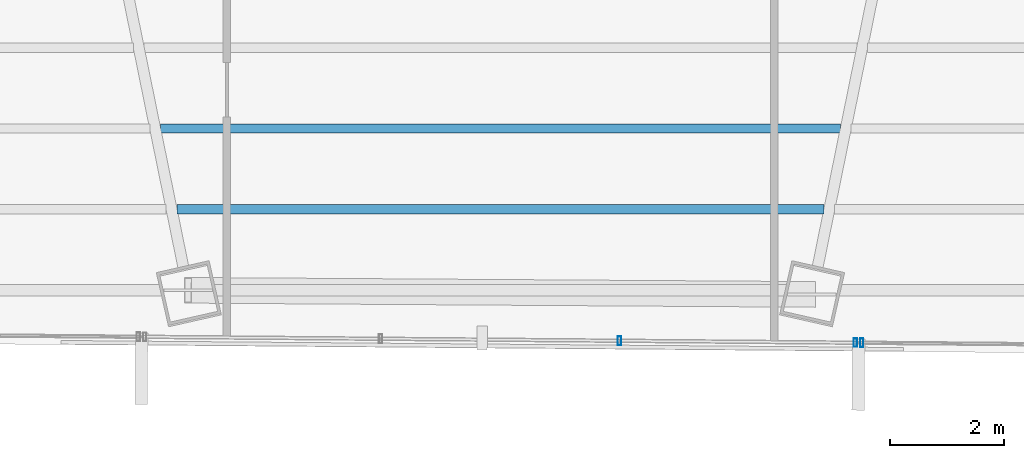
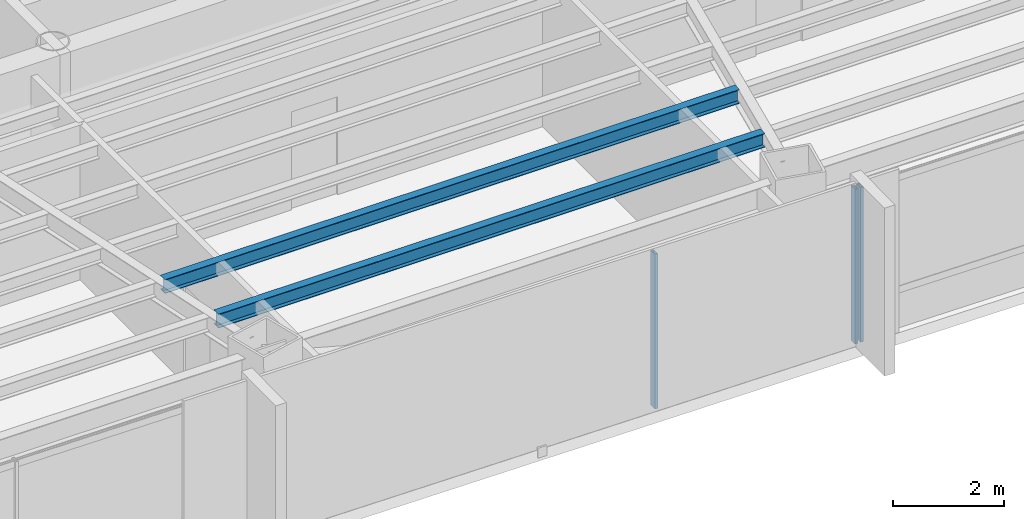
# One storey, part 10 of 38: 3 members, 2 beams, 2 elements without a shape of their own.
"""IFC4 building model written with IfcOpenShell, lengths in metres."""

from ifc_helpers import new_model, si_unit, direction, frame, origin, origin_2d, place, context, subcontext, project, spatial, hollow_rectangle, i_section, extrude, source, transform, mapped, material, material_profile, profile_set, type_object, type_shapes, element, aggregate, save


model = new_model("IFC4")

# Units and contexts
model_context = context("Model", 3, precision=1e-05, world=origin(), true_north=direction((0.0, 1.0)))
body_context = subcontext(model_context, "Body", "Model", "MODEL_VIEW")
ifc_project = project(units=[si_unit("LENGTHUNIT", "METRE"), si_unit("AREAUNIT", "SQUARE_METRE"), si_unit("VOLUMEUNIT", "CUBIC_METRE"), si_unit("PLANEANGLEUNIT", "RADIAN"), si_unit("MASSUNIT", "GRAM", prefix="KILO")], contexts=[model_context])

# Site, building, storey
site_placement = place(None, origin())
site = spatial("IfcSite", under=ifc_project, at=site_placement, CompositionType="ELEMENT")
building_placement = place(site_placement, origin())
building = spatial("IfcBuilding", under=site, at=building_placement, Name="Caelisora Broadcast Tower", CompositionType="ELEMENT")
storey_placement = place(building_placement, frame((0.0, 0.0, 158.5)))
storey = spatial("IfcBuildingStorey", under=building, at=storey_placement, Name="L41", CompositionType="ELEMENT", Elevation=158.5)

# Beams
ifc_material_1 = material(Name="Steel Grade 350 (AS/NZS 3679.1)", Category="steel")
ifc_material_profile_1 = material_profile(ifc_material_1, i_section(OverallWidth=0.166015625, OverallDepth=0.30712890625, WebThickness=0.006591796875, FlangeThickness=0.01171875, at=origin_2d()), Name="Steel Grade 350 (AS/NZS 3679.1)")
ifc_profile_set_1 = profile_set([ifc_material_profile_1], Name="Steel Grade 350 (AS/NZS 3679.1)")
beam_type = type_object("IfcBeamType", Name="SB03", PredefinedType="JOIST", material=ifc_profile_set_1)
shared_shape_1 = source(origin(), body_context, "Body", "SweptSolid", [
    extrude(i_section(OverallWidth=0.166015625, OverallDepth=0.30712890625, WebThickness=0.006591796875, FlangeThickness=0.01171875, at=origin_2d()), origin(), (0.0, 0.0, 1.0), 11.92724609375),
])
beam_1_placement = place(storey_placement, frame((32.036376953125, 10.3037109375, 3.246337890625), z_axis=(1.0, 0.0, 0.0), x_axis=(0.0, 1.0, 0.0)))
element("IfcBeam", 1, at=beam_1_placement, inside=storey, type_object=beam_type, Name="L41 beam SB03", PredefinedType="JOIST", context=body_context, shape_type="MappedRepresentation", body=[
    mapped(shared_shape_1, transform((0.0, 0.0, 0.0), scale=1.0)),
])
shared_shape_2 = source(origin(), body_context, "Body", "SweptSolid", [
    extrude(i_section(OverallWidth=0.166015625, OverallDepth=0.30712890625, WebThickness=0.006591796875, FlangeThickness=0.01171875, at=origin_2d()), origin(), (0.0, 0.0, 1.0), 11.3505859375),
])
type_shapes(beam_type, [shared_shape_1, shared_shape_2])
beam_2_placement = place(storey_placement, frame((32.32470703125, 8.884521484375, 3.246337890625), z_axis=(1.0, 0.0, 0.0), x_axis=(0.0, 1.0, 0.0)))
element("IfcBeam", 2, at=beam_2_placement, inside=storey, type_object=beam_type, Name="L41 beam SB03", PredefinedType="JOIST", context=body_context, shape_type="MappedRepresentation", body=[
    mapped(shared_shape_2, transform((0.0, 0.0, 0.0), scale=1.0)),
])

# Curtain wall, member
ifc_material_2 = material(Name="Unitised Aluminium and Low-E Glass Curtain Wall", Category="glass")
curtain_wall_type_1 = type_object("IfcCurtainWallType", Name="CW-Z3", PredefinedType="NOTDEFINED", material=ifc_material_2)
curtain_wall_1_placement = place(storey_placement, origin())
curtain_wall_1 = element("IfcCurtainWall", 3, at=curtain_wall_1_placement, inside=storey, type_object=curtain_wall_type_1, Name="L41 curtain wall CW-Z3", PredefinedType="NOTDEFINED")
ifc_material_3 = material(Name="Aluminium 6063-T6 Anodised Terracotta Bronze", Category="aluminium")
ifc_material_profile_2 = material_profile(ifc_material_3, hollow_rectangle(XDim=0.06005859375, YDim=0.14990234375, WallThickness=0.00341796875, at=origin_2d()), Name="Aluminium 6063-T6 Anodised Terracotta Bronze")
ifc_profile_set_2 = profile_set([ifc_material_profile_2], Name="Aluminium 6063-T6 Anodised Terracotta Bronze")
member_type = type_object("IfcMemberType", Name="CWM-03", PredefinedType="MULLION", material=ifc_profile_set_2)
shared_shape_3 = source(origin(), body_context, "Body", "SweptSolid", [
    extrude(hollow_rectangle(XDim=0.06005859375, YDim=0.14990234375, WallThickness=0.00341796875, at=origin_2d()), origin(), (0.0, 0.0, 1.0), 3.39990234375),
])
type_shapes(member_type, [shared_shape_3])
member_1_placement = place(storey_placement, frame((44.338134765625, 6.544677734375, 0.0), z_axis=(0.0, 0.0, 1.0), x_axis=(1.0, 0.0, 0.0)))
member_1 = element("IfcMember", 4, at=member_1_placement, type_object=member_type, Name="L41-CW-B05 mullion #3", PredefinedType="MULLION", context=body_context, shape_type="MappedRepresentation", body=[
    mapped(shared_shape_3, transform((0.0, 0.0, 0.0), scale=1.0)),
])
aggregate(curtain_wall_1, [member_1])

# Curtain wall, members
ifc_material_4 = material(Name="Unitised Aluminium Insulated Shadow-Box Spandrel Curtain Wall", Category="aluminium")
curtain_wall_type_2 = type_object("IfcCurtainWallType", Name="CW-SP2", PredefinedType="NOTDEFINED", material=ifc_material_4)
curtain_wall_2_placement = place(storey_placement, origin())
curtain_wall_2 = element("IfcCurtainWall", 5, at=curtain_wall_2_placement, inside=storey, type_object=curtain_wall_type_2, Name="L41 curtain wall CW-SP2", PredefinedType="NOTDEFINED")
member_2_placement = place(storey_placement, frame((44.22802734375, 6.54541015625, 0.0), z_axis=(0.0, 0.0, 1.0), x_axis=(1.0, 0.0, 0.0)))
member_2 = element("IfcMember", 6, at=member_2_placement, type_object=member_type, Name="L41-CW-B06 mullion #0", PredefinedType="MULLION", context=body_context, shape_type="MappedRepresentation", body=[
    mapped(shared_shape_3, transform((0.0, 0.0, 0.0), scale=1.0)),
])
member_3_placement = place(storey_placement, frame((40.08837890625, 6.580078125, 0.0), z_axis=(0.0, 0.0, 1.0), x_axis=(1.0, 0.0, 0.0)))
member_3 = element("IfcMember", 7, at=member_3_placement, type_object=member_type, Name="L41-CW-B06 mullion #1", PredefinedType="MULLION", context=body_context, shape_type="MappedRepresentation", body=[
    mapped(shared_shape_3, transform((0.0, 0.0, 0.0), scale=1.0)),
])
aggregate(curtain_wall_2, [member_2, member_3])

save(model, "model.ifc")
